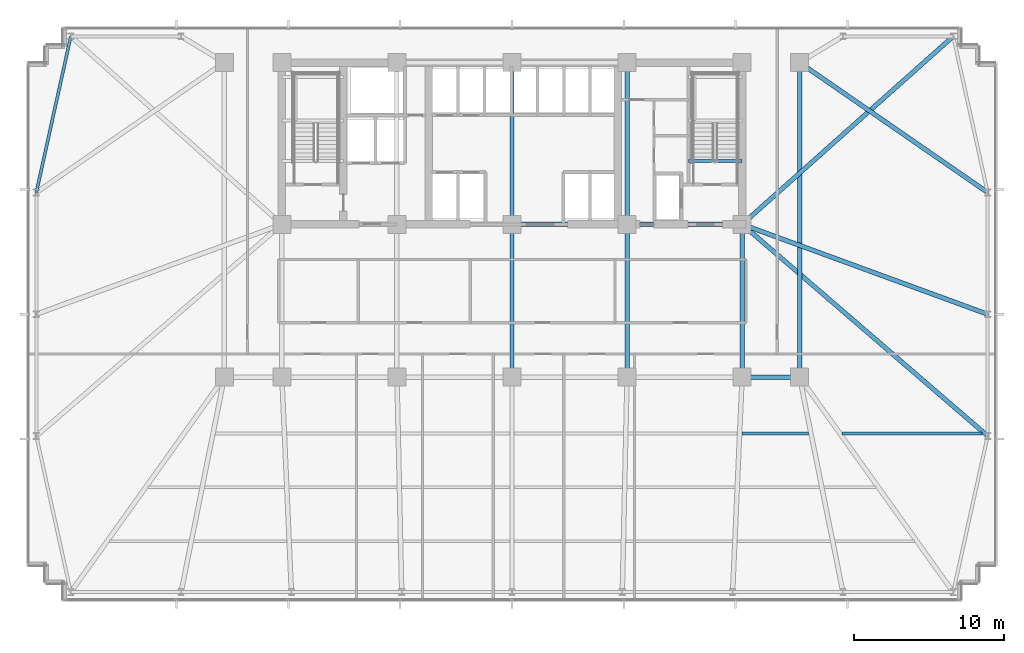
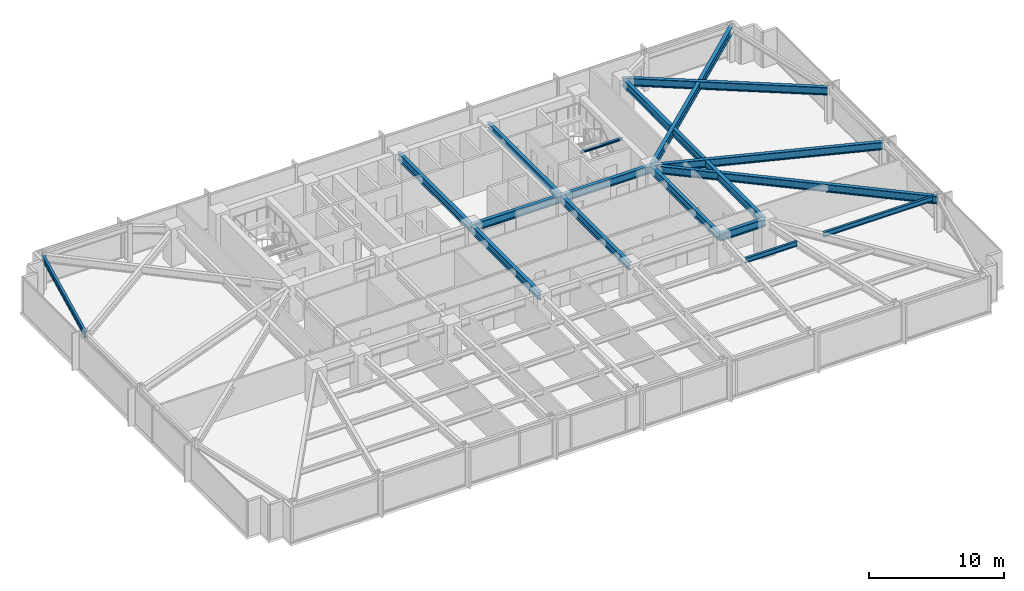
# One storey, part 16 of 32: 17 beams.
"""IFC4 building model written with IfcOpenShell, lengths in metres."""

from ifc_helpers import new_model, si_unit, direction, frame, origin, origin_2d, place, context, subcontext, project, spatial, i_section, extrude, material, material_profile, profile_set, type_object, element, save


model = new_model("IFC4")

# Units and contexts
model_context = context("Model", 3, precision=1e-05, world=origin(), true_north=direction((0.0, 1.0)))
body_context = subcontext(model_context, "Body", "Model", "MODEL_VIEW")
ifc_project = project(units=[si_unit("LENGTHUNIT", "METRE"), si_unit("AREAUNIT", "SQUARE_METRE"), si_unit("VOLUMEUNIT", "CUBIC_METRE"), si_unit("PLANEANGLEUNIT", "RADIAN"), si_unit("MASSUNIT", "GRAM", prefix="KILO")], contexts=[model_context])

# Site, building, storey
site_placement = place(None, origin())
site = spatial("IfcSite", under=ifc_project, at=site_placement, CompositionType="ELEMENT")
building_placement = place(site_placement, origin())
building = spatial("IfcBuilding", under=site, at=building_placement, Name="Yelkora Congress Tower", CompositionType="ELEMENT")
storey_placement = place(building_placement, frame((0.0, 0.0, 57.60009765625)))
storey = spatial("IfcBuildingStorey", under=building, at=storey_placement, Name="L14", CompositionType="ELEMENT", Elevation=57.60009765625)

# Beams
ifc_material = material(Name="Steel S355J2", Category="steel")
ifc_material_profile_1 = material_profile(ifc_material, i_section(OverallWidth=0.300048828125, OverallDepth=0.699951171875, WebThickness=0.01708984375, FlangeThickness=0.031982421875, FilletRadius=0.027099609375, at=origin_2d()), Name="HEB 700")
ifc_profile_set_1 = profile_set([ifc_material_profile_1], Name="Steel S355J2")
beam_type_1 = type_object("IfcBeamType", Name="BM-GIRD-HEB700", PredefinedType="BEAM", material=ifc_profile_set_1)
beam_1_placement = place(storey_placement, frame((53.760009765625, 25.199951171875, 2.829833984375), z_axis=(1.0, 0.0, 0.0), x_axis=(0.0, 1.0, 0.0)))
element("IfcBeam", 1, at=beam_1_placement, inside=storey, type_object=beam_type_1, Name="L14 Spine Grid D Girder 6", PredefinedType="BEAM", context=body_context, shape_type="SweptSolid", body=[
    extrude(i_section(OverallWidth=0.300048828125, OverallDepth=0.699951171875, WebThickness=0.01708984375, FlangeThickness=0.031982421875, FilletRadius=0.027099609375, at=origin_2d()), origin(), (0.0, 0.0, 1.0), 3.840087890625),
])
beam_2_placement = place(storey_placement, frame((38.39990234375, 35.39990234375, 2.829833984375), z_axis=(1.0, 0.0, 0.0), x_axis=(0.0, 1.0, 0.0)))
element("IfcBeam", 2, at=beam_2_placement, inside=storey, type_object=beam_type_1, Name="L14 Core South Girder 3", PredefinedType="BEAM", context=body_context, shape_type="SweptSolid", body=[
    extrude(i_section(OverallWidth=0.300048828125, OverallDepth=0.699951171875, WebThickness=0.01708984375, FlangeThickness=0.031982421875, FilletRadius=0.027099609375, at=origin_2d()), origin(), (0.0, 0.0, 1.0), 7.68017578125),
])
beam_3_placement = place(storey_placement, frame((46.080078125, 35.39990234375, 2.829833984375), z_axis=(1.0, 0.0, 0.0), x_axis=(0.0, 1.0, 0.0)))
element("IfcBeam", 3, at=beam_3_placement, inside=storey, type_object=beam_type_1, Name="L14 Core South Girder 4", PredefinedType="BEAM", context=body_context, shape_type="SweptSolid", body=[
    extrude(i_section(OverallWidth=0.300048828125, OverallDepth=0.699951171875, WebThickness=0.01708984375, FlangeThickness=0.031982421875, FilletRadius=0.027099609375, at=origin_2d()), origin(), (0.0, 0.0, 1.0), 7.679931640625),
])
beam_4_placement = place(storey_placement, frame((38.39990234375, 25.199951171875, 2.829833984375), z_axis=(0.0, 1.0, 0.0), x_axis=(-1.0, 0.0, 0.0)))
element("IfcBeam", 4, at=beam_4_placement, inside=storey, type_object=beam_type_1, Name="L14 Core Tie Girder MC-D3", PredefinedType="BEAM", context=body_context, shape_type="SweptSolid", body=[
    extrude(i_section(OverallWidth=0.300048828125, OverallDepth=0.699951171875, WebThickness=0.01708984375, FlangeThickness=0.031982421875, FilletRadius=0.027099609375, at=origin_2d()), origin(), (0.0, 0.0, 1.0), 10.199951171875),
])
beam_5_placement = place(storey_placement, frame((38.39990234375, 35.39990234375, 2.829833984375), z_axis=(0.0, 1.0, 0.0), x_axis=(-1.0, 0.0, 0.0)))
element("IfcBeam", 5, at=beam_5_placement, inside=storey, type_object=beam_type_1, Name="L14 Core Tie Girder MC-S3", PredefinedType="BEAM", context=body_context, shape_type="SweptSolid", body=[
    extrude(i_section(OverallWidth=0.300048828125, OverallDepth=0.699951171875, WebThickness=0.01708984375, FlangeThickness=0.031982421875, FilletRadius=0.027099609375, at=origin_2d()), origin(), (0.0, 0.0, 1.0), 10.800048828125),
])
beam_6_placement = place(storey_placement, frame((46.080078125, 25.199951171875, 2.829833984375), z_axis=(0.0, 1.0, 0.0), x_axis=(-1.0, 0.0, 0.0)))
element("IfcBeam", 6, at=beam_6_placement, inside=storey, type_object=beam_type_1, Name="L14 Core Tie Girder MC-D4", PredefinedType="BEAM", context=body_context, shape_type="SweptSolid", body=[
    extrude(i_section(OverallWidth=0.300048828125, OverallDepth=0.699951171875, WebThickness=0.01708984375, FlangeThickness=0.031982421875, FilletRadius=0.027099609375, at=origin_2d()), origin(), (0.0, 0.0, 1.0), 10.199951171875),
])
beam_7_placement = place(storey_placement, frame((46.080078125, 35.39990234375, 2.829833984375), z_axis=(0.0, 1.0, 0.0), x_axis=(-1.0, 0.0, 0.0)))
element("IfcBeam", 7, at=beam_7_placement, inside=storey, type_object=beam_type_1, Name="L14 Core Tie Girder MC-S4", PredefinedType="BEAM", context=body_context, shape_type="SweptSolid", body=[
    extrude(i_section(OverallWidth=0.300048828125, OverallDepth=0.699951171875, WebThickness=0.01708984375, FlangeThickness=0.031982421875, FilletRadius=0.027099609375, at=origin_2d()), origin(), (0.0, 0.0, 1.0), 10.800048828125),
])
beam_8_placement = place(storey_placement, frame((53.760009765625, 25.199951171875, 2.829833984375), z_axis=(0.0, 1.0, 0.0), x_axis=(-1.0, 0.0, 0.0)))
element("IfcBeam", 8, at=beam_8_placement, inside=storey, type_object=beam_type_1, Name="L14 Core Tie Girder MC-D5", PredefinedType="BEAM", context=body_context, shape_type="SweptSolid", body=[
    extrude(i_section(OverallWidth=0.300048828125, OverallDepth=0.699951171875, WebThickness=0.01708984375, FlangeThickness=0.031982421875, FilletRadius=0.027099609375, at=origin_2d()), origin(), (0.0, 0.0, 1.0), 10.199951171875),
])
beam_9_placement = place(storey_placement, frame((57.60009765625, 25.199951171875, 2.829833984375), z_axis=(0.0, 1.0, 0.0), x_axis=(-1.0, 0.0, 0.0)))
element("IfcBeam", 9, at=beam_9_placement, inside=storey, type_object=beam_type_1, Name="L14 Neck Flank Girder MC-F2", PredefinedType="BEAM", context=body_context, shape_type="SweptSolid", body=[
    extrude(i_section(OverallWidth=0.300048828125, OverallDepth=0.699951171875, WebThickness=0.01708984375, FlangeThickness=0.031982421875, FilletRadius=0.027099609375, at=origin_2d()), origin(), (0.0, 0.0, 1.0), 21.0),
])
beam_10_placement = place(storey_placement, frame((67.85009765625, 47.949951171875, 2.829833984375), z_axis=(-0.746737189621, -0.665119214605, 0.0), x_axis=(0.665119214605, -0.746737189621, 0.0)))
element("IfcBeam", 10, at=beam_10_placement, inside=storey, type_object=beam_type_1, Name="L14 Primary Frame Girder N09", PredefinedType="BEAM", context=body_context, shape_type="SweptSolid", body=[
    extrude(i_section(OverallWidth=0.300048828125, OverallDepth=0.699951171875, WebThickness=0.01708984375, FlangeThickness=0.031982421875, FilletRadius=0.027099609375, at=origin_2d()), origin(), (0.0, 0.0, 1.0), 18.868896484375),
])
beam_11_placement = place(storey_placement, frame((70.14990234375, 21.27490234375, 2.829833984375), z_axis=(-0.757506357109, 0.652827786586, 0.0), x_axis=(-0.652827786586, -0.757506357109, 0.0)))
element("IfcBeam", 11, at=beam_11_placement, inside=storey, type_object=beam_type_1, Name="L14 Primary Frame Girder E01", PredefinedType="BEAM", context=body_context, shape_type="SweptSolid", body=[
    extrude(i_section(OverallWidth=0.300048828125, OverallDepth=0.699951171875, WebThickness=0.01708984375, FlangeThickness=0.031982421875, FilletRadius=0.027099609375, at=origin_2d()), origin(), (0.0, 0.0, 1.0), 21.63671875),
])
beam_12_placement = place(storey_placement, frame((70.14990234375, 29.39990234375, 2.829833984375), z_axis=(-0.939054471542, 0.343768380567, 0.0), x_axis=(-0.343768380567, -0.939054471542, 0.0)))
element("IfcBeam", 12, at=beam_12_placement, inside=storey, type_object=beam_type_1, Name="L14 Primary Frame Girder E02", PredefinedType="BEAM", context=body_context, shape_type="SweptSolid", body=[
    extrude(i_section(OverallWidth=0.300048828125, OverallDepth=0.699951171875, WebThickness=0.01708984375, FlangeThickness=0.031982421875, FilletRadius=0.027099609375, at=origin_2d()), origin(), (0.0, 0.0, 1.0), 17.45361328125),
])
beam_13_placement = place(storey_placement, frame((70.14990234375, 37.52490234375, 2.829833984375), z_axis=(-0.822599280139, 0.568621512357, 0.0), x_axis=(-0.568621512357, -0.822599280139, 0.0)))
element("IfcBeam", 13, at=beam_13_placement, inside=storey, type_object=beam_type_1, Name="L14 Primary Frame Girder E03", PredefinedType="BEAM", context=body_context, shape_type="SweptSolid", body=[
    extrude(i_section(OverallWidth=0.300048828125, OverallDepth=0.699951171875, WebThickness=0.01708984375, FlangeThickness=0.031982421875, FilletRadius=0.027099609375, at=origin_2d()), origin(), (0.0, 0.0, 1.0), 15.25634765625),
])
ifc_material_profile_2 = material_profile(ifc_material, i_section(OverallWidth=0.18994140625, OverallDepth=0.449951171875, WebThickness=0.009521484375, FlangeThickness=0.0146484375, FilletRadius=0.02099609375, at=origin_2d()), Name="IPE 450")
ifc_profile_set_2 = profile_set([ifc_material_profile_2], Name="Steel S355J2")
beam_type_2 = type_object("IfcBeamType", Name="BM-JOIST-IPE450", PredefinedType="JOIST", material=ifc_profile_set_2)
beam_14_placement = place(storey_placement, frame((53.754150390625, 21.449951171875, 2.954833984375), z_axis=(1.0, 0.0, 0.0), x_axis=(0.0, 1.0, 0.0)))
element("IfcBeam", 14, at=beam_14_placement, inside=storey, type_object=beam_type_2, Name="L14 Composite Floor Joist 22", PredefinedType="JOIST", context=body_context, shape_type="SweptSolid", body=[
    extrude(i_section(OverallWidth=0.18994140625, OverallDepth=0.449951171875, WebThickness=0.009521484375, FlangeThickness=0.0146484375, FilletRadius=0.02099609375, at=origin_2d()), origin(), (0.0, 0.0, 1.0), 4.4404296875),
])
beam_15_placement = place(storey_placement, frame((60.438720703125, 21.449951171875, 2.954833984375), z_axis=(1.0, 0.0, 0.0), x_axis=(0.0, 1.0, 0.0)))
element("IfcBeam", 15, at=beam_15_placement, inside=storey, type_object=beam_type_2, Name="L14 Composite Floor Joist 23", PredefinedType="JOIST", context=body_context, shape_type="SweptSolid", body=[
    extrude(i_section(OverallWidth=0.18994140625, OverallDepth=0.449951171875, WebThickness=0.009521484375, FlangeThickness=0.0146484375, FilletRadius=0.02099609375, at=origin_2d()), origin(), (0.0, 0.0, 1.0), 9.34814453125),
])
ifc_material_profile_3 = material_profile(ifc_material, i_section(OverallWidth=0.199951171875, OverallDepth=0.18994140625, WebThickness=0.006591796875, FlangeThickness=0.010009765625, FilletRadius=0.01806640625, at=origin_2d()), Name="HEA 200")
ifc_profile_set_3 = profile_set([ifc_material_profile_3], Name="Steel S355J2")
beam_type_3 = type_object("IfcBeamType", Name="BM-LAND-HEA200", PredefinedType="BEAM", material=ifc_profile_set_3)
beam_16_placement = place(storey_placement, frame((50.179931640625, 39.639892578125, 2.947265625), z_axis=(1.0, 0.0, 0.0), x_axis=(0.0, 1.0, 0.0)))
element("IfcBeam", 16, at=beam_16_placement, inside=storey, type_object=beam_type_3, Name="ST-02 L14 Floor Arrival Stringer Header Beam", PredefinedType="BEAM", context=body_context, shape_type="SweptSolid", body=[
    extrude(i_section(OverallWidth=0.199951171875, OverallDepth=0.18994140625, WebThickness=0.006591796875, FlangeThickness=0.010009765625, FilletRadius=0.01806640625, at=origin_2d()), origin(), (0.0, 0.0, 1.0), 3.580078125),
])
ifc_material_profile_4 = material_profile(ifc_material, i_section(OverallWidth=0.199951171875, OverallDepth=0.5, WebThickness=0.01025390625, FlangeThickness=0.01611328125, FilletRadius=0.02099609375, at=origin_2d()), Name="IPE 500")
ifc_profile_set_4 = profile_set([ifc_material_profile_4], Name="Steel S355J2")
beam_type_4 = type_object("IfcBeamType", Name="BM-SPAN-IPE500", PredefinedType="SPANDREL", material=ifc_profile_set_4)
beam_17_placement = place(storey_placement, frame((8.949951171875, 47.949951171875, 2.929931640625), z_axis=(-0.215445894778, -0.976515778891, 0.0), x_axis=(0.976515778891, -0.215445894778, 0.0)))
element("IfcBeam", 17, at=beam_17_placement, inside=storey, type_object=beam_type_4, Name="L14 Perimeter Beam 17", PredefinedType="SPANDREL", context=body_context, shape_type="SweptSolid", body=[
    extrude(i_section(OverallWidth=0.199951171875, OverallDepth=0.5, WebThickness=0.01025390625, FlangeThickness=0.01611328125, FilletRadius=0.02099609375, at=origin_2d()), origin(), (0.0, 0.0, 1.0), 10.67578125),
])

save(model, "model.ifc")
